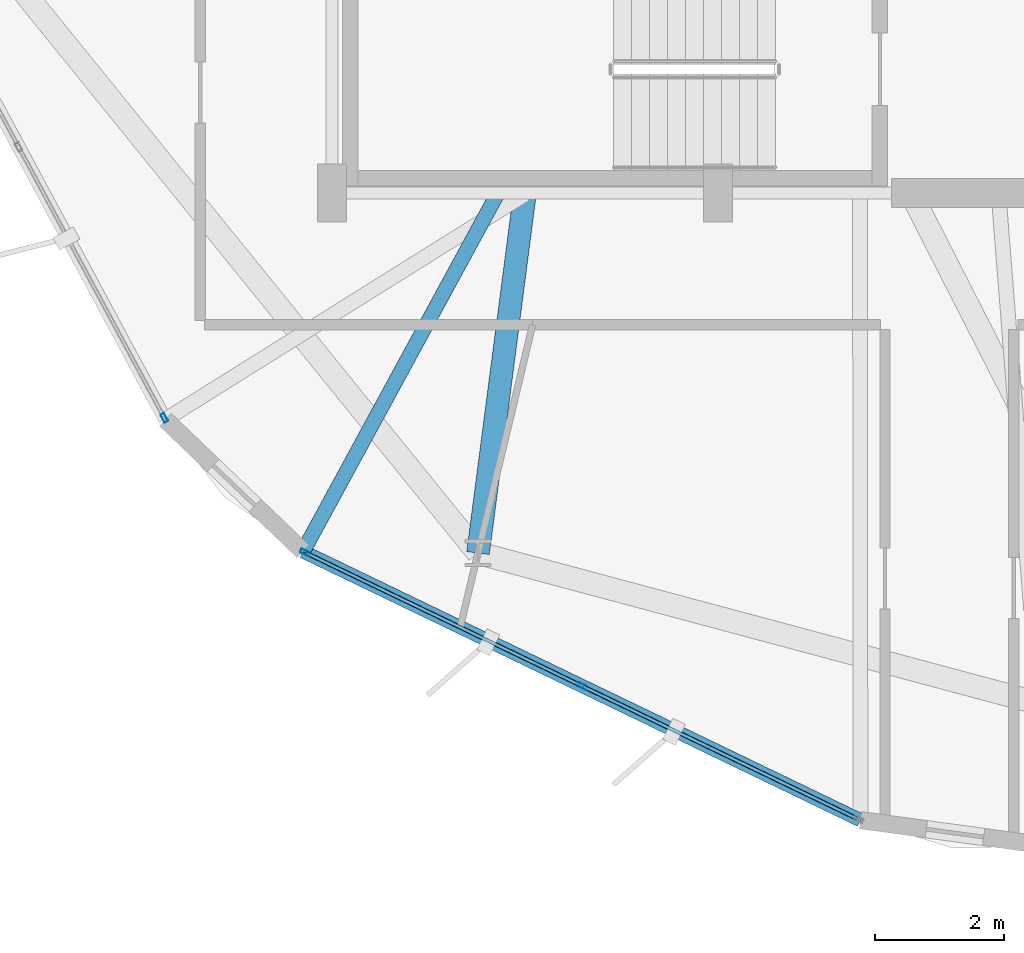
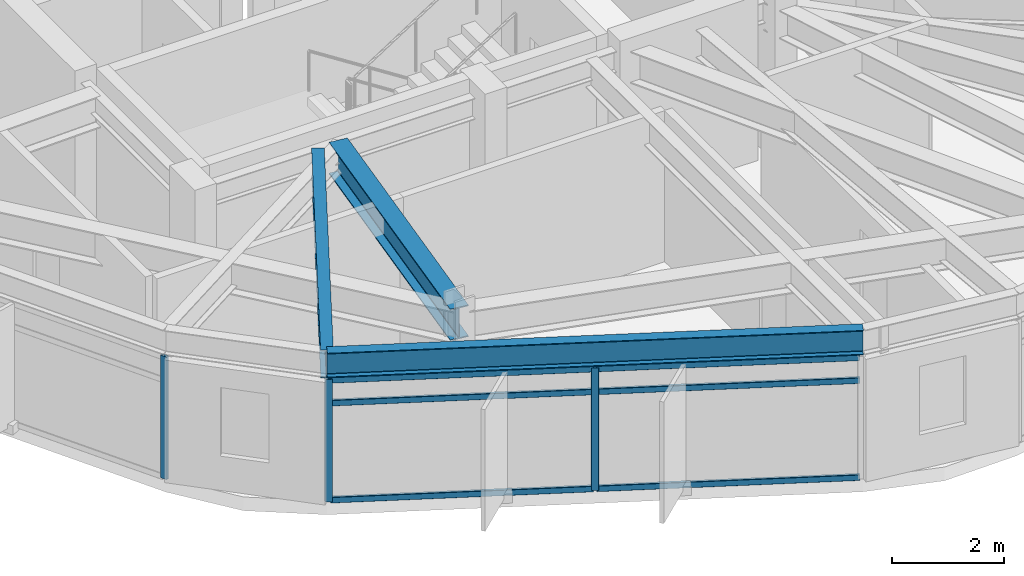
# One storey, part 2 of 27: 9 members, 3 beams, 2 elements without a shape of their own.
"""IFC4 building model written with IfcOpenShell, lengths in metres."""

from ifc_helpers import new_model, si_unit, direction, frame, origin, origin_2d, place, context, subcontext, project, spatial, hollow_rectangle, i_section, extrude, material, layer, layer_set, material_profile, profile_set, type_object, element, aggregate, save


model = new_model("IFC4")

# Units and contexts
model_context = context("Model", 3, precision=1e-05, world=origin(), true_north=direction((0.0, 1.0)))
body_context = subcontext(model_context, "Body", "Model", "MODEL_VIEW")
ifc_project = project(units=[si_unit("LENGTHUNIT", "METRE"), si_unit("AREAUNIT", "SQUARE_METRE"), si_unit("VOLUMEUNIT", "CUBIC_METRE"), si_unit("PLANEANGLEUNIT", "RADIAN"), si_unit("MASSUNIT", "GRAM", prefix="KILO")], contexts=[model_context])

# Site, building, storey
site_placement = place(None, origin())
site = spatial("IfcSite", under=ifc_project, at=site_placement, CompositionType="ELEMENT")
building_placement = place(site_placement, origin())
building = spatial("IfcBuilding", under=site, at=building_placement, Name="Soratama Intermodal Tower", CompositionType="ELEMENT")
storey_placement = place(building_placement, frame((0.0, 0.0, 208.60009765625)))
storey = spatial("IfcBuildingStorey", under=building, at=storey_placement, Name="L52", CompositionType="ELEMENT", Elevation=208.60009765625)

# Beams
ifc_material_1 = material(Name="Structural steel ASTM A992 Grade 50", Category="steel")
ifc_material_profile_1 = material_profile(ifc_material_1, i_section(OverallWidth=0.35498046875, OverallDepth=0.695068359375, WebThickness=0.015380859375, FlangeThickness=0.02490234375, FilletRadius=0.01611328125, at=origin_2d()), Name="W27X146")
ifc_profile_set_1 = profile_set([ifc_material_profile_1], Name="Structural steel ASTM A992 Grade 50")
beam_type_1 = type_object("IfcBeamType", Name="BM-RING-W27X146", PredefinedType="BEAM", material=ifc_profile_set_1)
beam_1_placement = place(storey_placement, frame((35.60009765625, 15.0, 2.952392578125), z_axis=(-0.129280033694, -0.991608124658, 0.0), x_axis=(0.991608124658, -0.129280033694, 0.0)))
element("IfcBeam", 1, at=beam_1_placement, inside=storey, type_object=beam_type_1, Name="BM-L52-RAD-07", PredefinedType="BEAM", context=body_context, shape_type="SweptSolid", body=[
    extrude(i_section(OverallWidth=0.35498046875, OverallDepth=0.695068359375, WebThickness=0.015380859375, FlangeThickness=0.02490234375, FilletRadius=0.01611328125, at=origin_2d()), origin(), (0.0, 0.0, 1.0), 5.646484375),
])
ifc_material_2 = material(Name="Structural steel ASTM A992 Grade 50", Category="steel")
ifc_material_profile_2 = material_profile(ifc_material_2, i_section(OverallWidth=0.2099609375, OverallDepth=0.537109375, WebThickness=0.010986328125, FlangeThickness=0.017333984375, FilletRadius=0.012939453125, at=origin_2d()), Name="W21X68")
ifc_profile_set_2 = profile_set([ifc_material_profile_2], Name="Structural steel ASTM A992 Grade 50")
beam_type_2 = type_object("IfcBeamType", Name="BM-SPN-W21X68", PredefinedType="SPANDREL", material=ifc_profile_set_2)
beam_2_placement = place(storey_placement, frame((32.14892578125, 9.426025390625, 3.031494140625), z_axis=(0.900762833383, -0.434311314606, 0.0), x_axis=(0.434311314606, 0.900762833383, 0.0)))
element("IfcBeam", 2, at=beam_2_placement, inside=storey, type_object=beam_type_2, Name="BS-L52-F06", PredefinedType="SPANDREL", context=body_context, shape_type="SweptSolid", body=[
    extrude(i_section(OverallWidth=0.2099609375, OverallDepth=0.537109375, WebThickness=0.010986328125, FlangeThickness=0.017333984375, FilletRadius=0.012939453125, at=origin_2d()), origin(), (0.0, 0.0, 1.0), 9.624267578125),
])
ifc_material_3 = material(Name="Structural steel ASTM A992 Grade 50", Category="steel")
ifc_material_profile_3 = material_profile(ifc_material_3, i_section(OverallWidth=0.22900390625, OverallDepth=0.612060546875, WebThickness=0.011962890625, FlangeThickness=0.01953125, FilletRadius=0.012939453125, at=origin_2d()), Name="W24X84")
ifc_profile_set_3 = profile_set([ifc_material_profile_3], Name="Structural steel ASTM A992 Grade 50")
beam_type_3 = type_object("IfcBeamType", Name="BM-TIE-W24X84", PredefinedType="BEAM", material=ifc_profile_set_3)
beam_3_placement = place(storey_placement, frame((35.159912109375, 14.965087890625, 2.993896484375), z_axis=(-0.477590004816, -0.878582828935, 0.0), x_axis=(0.878582828935, -0.477590004816, 0.0)))
element("IfcBeam", 3, at=beam_3_placement, inside=storey, type_object=beam_type_3, Name="BM-L52-TIE0-06", PredefinedType="BEAM", context=body_context, shape_type="SweptSolid", body=[
    extrude(i_section(OverallWidth=0.22900390625, OverallDepth=0.612060546875, WebThickness=0.011962890625, FlangeThickness=0.01953125, FilletRadius=0.012939453125, at=origin_2d()), origin(), (0.0, 0.0, 1.0), 6.304443359375),
])

# Curtain wall, member
ifc_material_4 = material(Name="Double-glazed aluminium curtain wall", Category="aluminium")
ifc_layer = layer(ifc_material_4, 0.159912109375)
ifc_layer_set = layer_set([ifc_layer], Name="Double-glazed aluminium curtain wall")
curtain_wall_type = type_object("IfcCurtainWallType", Name="CW-SYS-5", PredefinedType="NOTDEFINED", material=ifc_layer_set)
curtain_wall_1_placement = place(storey_placement, origin())
curtain_wall_1 = element("IfcCurtainWall", 4, at=curtain_wall_1_placement, inside=storey, type_object=curtain_wall_type, Name="L52 Faceted Curtain Wall F05", PredefinedType="NOTDEFINED")
ifc_material_5 = material(Name="Anodised aluminium AA 6063-T6", Category="aluminium")
ifc_material_profile_4 = material_profile(ifc_material_5, hollow_rectangle(XDim=0.06494140625, YDim=0.139892578125, WallThickness=0.0048828125, InnerFilletRadius=0.0048828125, OuterFilletRadius=0.010009765625, at=origin_2d()), Name="CWM140X65X5")
ifc_profile_set_4 = profile_set([ifc_material_profile_4], Name="Anodised aluminium AA 6063-T6")
member_type_1 = type_object("IfcMemberType", Name="MT-CWM-5", PredefinedType="MULLION", material=ifc_profile_set_4)
member_1_placement = place(storey_placement, frame((29.99169921875, 11.503173828125, 0.0), z_axis=(0.0, 0.0, 1.0), x_axis=(0.880806522484, 0.473476366833, 0.0)))
member_1 = element("IfcMember", 5, at=member_1_placement, type_object=member_type_1, Name="CW-5 mullion 3", PredefinedType="MULLION", context=body_context, shape_type="SweptSolid", body=[
    extrude(hollow_rectangle(XDim=0.06494140625, YDim=0.139892578125, WallThickness=0.0048828125, InnerFilletRadius=0.0048828125, OuterFilletRadius=0.010009765625, at=origin_2d()), origin(), (0.0, 0.0, 1.0), 2.678955078125),
])
aggregate(curtain_wall_1, [member_1])

# Curtain wall, members
curtain_wall_2_placement = place(storey_placement, origin())
curtain_wall_2 = element("IfcCurtainWall", 6, at=curtain_wall_2_placement, inside=storey, type_object=curtain_wall_type, Name="L52 Faceted Curtain Wall F06", PredefinedType="NOTDEFINED")
member_2_placement = place(storey_placement, frame((32.176025390625, 9.41259765625, 0.0), z_axis=(0.0, 0.0, 1.0), x_axis=(0.434286991077, 0.900774560798, 0.0)))
member_2 = element("IfcMember", 7, at=member_2_placement, type_object=member_type_1, Name="CW-5 mullion 1", PredefinedType="MULLION", context=body_context, shape_type="SweptSolid", body=[
    extrude(hollow_rectangle(XDim=0.06494140625, YDim=0.139892578125, WallThickness=0.0048828125, InnerFilletRadius=0.0048828125, OuterFilletRadius=0.010009765625, at=origin_2d()), origin(), (0.0, 0.0, 1.0), 2.678955078125),
])
member_3_placement = place(storey_placement, frame((36.483642578125, 7.3359375, 0.0), z_axis=(0.0, 0.0, 1.0), x_axis=(0.434286991077, 0.900774560798, 0.0)))
member_3 = element("IfcMember", 8, at=member_3_placement, type_object=member_type_1, Name="CW-5 mullion 2", PredefinedType="MULLION", context=body_context, shape_type="SweptSolid", body=[
    extrude(hollow_rectangle(XDim=0.06494140625, YDim=0.139892578125, WallThickness=0.0048828125, InnerFilletRadius=0.0048828125, OuterFilletRadius=0.010009765625, at=origin_2d()), origin(), (0.0, 0.0, 1.0), 2.678955078125),
])
ifc_material_6 = material(Name="Anodised aluminium AA 6063-T6", Category="aluminium")
ifc_material_profile_5 = material_profile(ifc_material_6, hollow_rectangle(XDim=0.06005859375, YDim=0.1298828125, WallThickness=0.0048828125, InnerFilletRadius=0.0048828125, OuterFilletRadius=0.010009765625, at=origin_2d()), Name="CWT130X60X5")
ifc_profile_set_5 = profile_set([ifc_material_profile_5], Name="Anodised aluminium AA 6063-T6")
member_type_2 = type_object("IfcMemberType", Name="TT-CWT-2", PredefinedType="USERDEFINED", material=ifc_profile_set_5)
member_4_placement = place(storey_placement, frame((32.203125, 9.399658203125, 0.02978515625), z_axis=(0.900766514254, -0.434303680389, 0.0), x_axis=(0.434303680389, 0.900766514254, 0.0)))
member_4 = element("IfcMember", 9, at=member_4_placement, type_object=member_type_2, Name="CW-5 transom 1.1", ObjectType="TRANSOM", PredefinedType="USERDEFINED", context=body_context, shape_type="SweptSolid", body=[
    extrude(hollow_rectangle(XDim=0.06005859375, YDim=0.1298828125, WallThickness=0.0048828125, InnerFilletRadius=0.0048828125, OuterFilletRadius=0.010009765625, at=origin_2d()), origin(), (0.0, 0.0, 1.0), 4.721923828125),
])
member_5_placement = place(storey_placement, frame((32.203125, 9.399658203125, 2.14990234375), z_axis=(0.900766514254, -0.434303680389, 0.0), x_axis=(0.434303680389, 0.900766514254, 0.0)))
member_5 = element("IfcMember", 10, at=member_5_placement, type_object=member_type_2, Name="CW-5 transom 1.2", ObjectType="TRANSOM", PredefinedType="USERDEFINED", context=body_context, shape_type="SweptSolid", body=[
    extrude(hollow_rectangle(XDim=0.06005859375, YDim=0.1298828125, WallThickness=0.0048828125, InnerFilletRadius=0.0048828125, OuterFilletRadius=0.010009765625, at=origin_2d()), origin(), (0.0, 0.0, 1.0), 4.721923828125),
])
member_6_placement = place(storey_placement, frame((32.203125, 9.399658203125, 2.64892578125), z_axis=(0.900766514254, -0.434303680389, 0.0), x_axis=(0.434303680389, 0.900766514254, 0.0)))
member_6 = element("IfcMember", 11, at=member_6_placement, type_object=member_type_2, Name="CW-5 transom 1.3", ObjectType="TRANSOM", PredefinedType="USERDEFINED", context=body_context, shape_type="SweptSolid", body=[
    extrude(hollow_rectangle(XDim=0.06005859375, YDim=0.1298828125, WallThickness=0.0048828125, InnerFilletRadius=0.0048828125, OuterFilletRadius=0.010009765625, at=origin_2d()), origin(), (0.0, 0.0, 1.0), 4.721923828125),
])
member_7_placement = place(storey_placement, frame((36.5107421875, 7.32275390625, 0.02978515625), z_axis=(0.900786740195, -0.434261728326, 0.0), x_axis=(0.434261728326, 0.900786740195, 0.0)))
member_7 = element("IfcMember", 12, at=member_7_placement, type_object=member_type_2, Name="CW-5 transom 2.1", ObjectType="TRANSOM", PredefinedType="USERDEFINED", context=body_context, shape_type="SweptSolid", body=[
    extrude(hollow_rectangle(XDim=0.06005859375, YDim=0.1298828125, WallThickness=0.0048828125, InnerFilletRadius=0.0048828125, OuterFilletRadius=0.010009765625, at=origin_2d()), origin(), (0.0, 0.0, 1.0), 4.721923828125),
])
member_8_placement = place(storey_placement, frame((36.5107421875, 7.32275390625, 2.14990234375), z_axis=(0.900786740195, -0.434261728326, 0.0), x_axis=(0.434261728326, 0.900786740195, 0.0)))
member_8 = element("IfcMember", 13, at=member_8_placement, type_object=member_type_2, Name="CW-5 transom 2.2", ObjectType="TRANSOM", PredefinedType="USERDEFINED", context=body_context, shape_type="SweptSolid", body=[
    extrude(hollow_rectangle(XDim=0.06005859375, YDim=0.1298828125, WallThickness=0.0048828125, InnerFilletRadius=0.0048828125, OuterFilletRadius=0.010009765625, at=origin_2d()), origin(), (0.0, 0.0, 1.0), 4.721923828125),
])
member_9_placement = place(storey_placement, frame((36.5107421875, 7.32275390625, 2.64892578125), z_axis=(0.900786740195, -0.434261728326, 0.0), x_axis=(0.434261728326, 0.900786740195, 0.0)))
member_9 = element("IfcMember", 14, at=member_9_placement, type_object=member_type_2, Name="CW-5 transom 2.3", ObjectType="TRANSOM", PredefinedType="USERDEFINED", context=body_context, shape_type="SweptSolid", body=[
    extrude(hollow_rectangle(XDim=0.06005859375, YDim=0.1298828125, WallThickness=0.0048828125, InnerFilletRadius=0.0048828125, OuterFilletRadius=0.010009765625, at=origin_2d()), origin(), (0.0, 0.0, 1.0), 4.721923828125),
])
aggregate(curtain_wall_2, [member_2, member_3, member_4, member_5, member_6, member_7, member_8, member_9])

save(model, "model.ifc")
